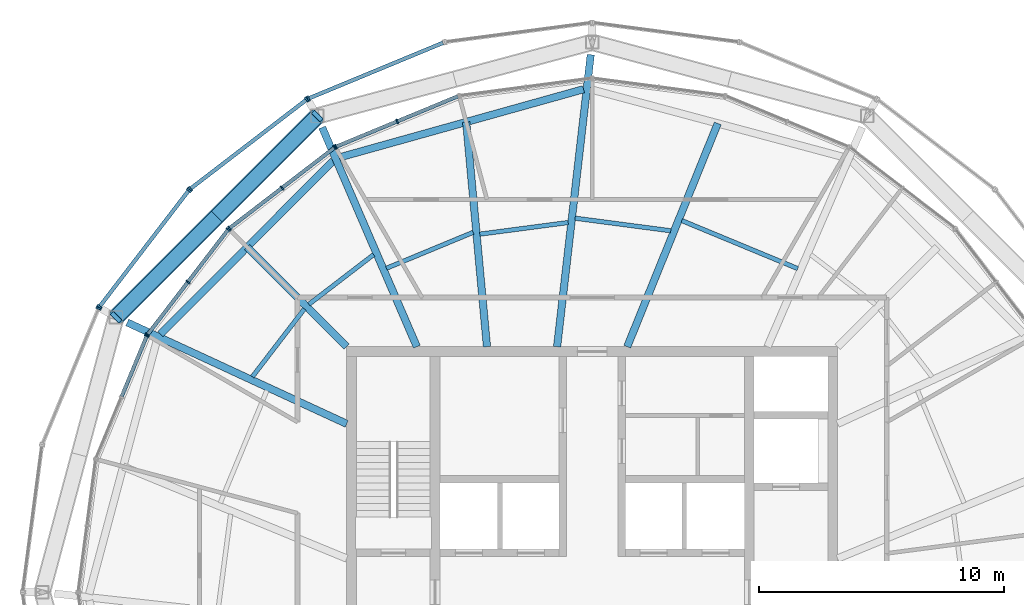
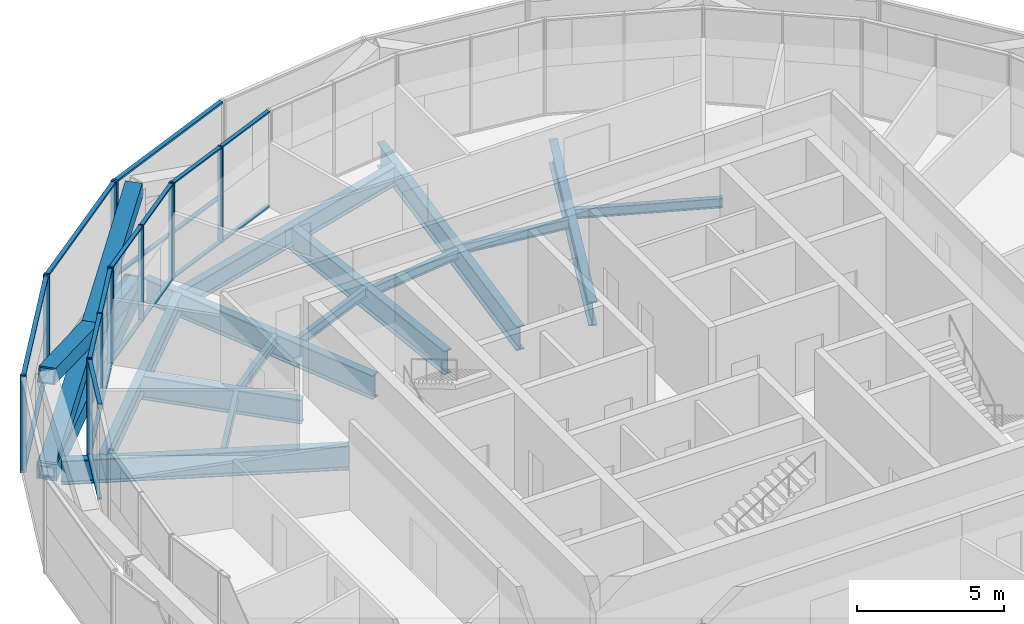
# One storey, part 7 of 17: 37 members, 15 beams, 8 elements without a shape of their own.
"""IFC4 building model written with IfcOpenShell, lengths in metres."""

from ifc_helpers import new_model, si_unit, direction, frame, origin, origin_2d, place, context, subcontext, project, spatial, rectangle, hollow_rectangle, i_section, extrude, material, material_profile, profile_set, type_object, element, aggregate, save


model = new_model("IFC4")

# Units and contexts
model_context = context("Model", 3, precision=1e-05, world=origin(), true_north=direction((0.0, 1.0)))
body_context = subcontext(model_context, "Body", "Model", "MODEL_VIEW")
ifc_project = project(units=[si_unit("LENGTHUNIT", "METRE"), si_unit("AREAUNIT", "SQUARE_METRE"), si_unit("VOLUMEUNIT", "CUBIC_METRE"), si_unit("PLANEANGLEUNIT", "RADIAN"), si_unit("MASSUNIT", "GRAM", prefix="KILO")], contexts=[model_context])

# Site, building, storey
site_placement = place(None, origin())
site = spatial("IfcSite", under=ifc_project, at=site_placement, CompositionType="ELEMENT")
building_placement = place(site_placement, origin())
building = spatial("IfcBuilding", under=site, at=building_placement, Name="Golbaran Civic Tower", CompositionType="ELEMENT")
storey_placement = place(building_placement, frame((0.0, 0.0, 280.0)))
storey = spatial("IfcBuildingStorey", under=building, at=storey_placement, Name="L68", CompositionType="ELEMENT", Elevation=280.0)

# Members
ifc_material_1 = material(Name="Steel S355", Category="steel")
ifc_material_profile_1 = material_profile(ifc_material_1, hollow_rectangle(XDim=0.60009765625, YDim=0.60009765625, WallThickness=0.050048828125, at=origin_2d()), Name="BOX 600x600x50")
ifc_profile_set_1 = profile_set([ifc_material_profile_1], Name="Steel S355")
member_type_1 = type_object("IfcMemberType", Name="CROWN FRAME LOWER BRACE BOX 600x600x50", PredefinedType="BRACE", material=ifc_profile_set_1)
for number, where, z_axis, x_axis, name in (
    (1, (-11.199951171875, 19.39892578125, -0.7099609375), (-0.668449627768, -0.668449627768, 0.326113768911), (0.707106781187, -0.707106781187, 0.0), "Crown frame lower brace 5A"),
    (2, (-19.39892578125, 11.199951171875, -0.7099609375), (0.668449627768, 0.668449627768, 0.326113768911), (-0.707106781187, 0.707106781187, 0.0), "Crown frame lower brace 5B"),
):
    element("IfcMember", number, at=place(storey_placement, frame(where, z_axis=z_axis, x_axis=x_axis)), inside=storey, type_object=member_type_1, Name=name, PredefinedType="BRACE", context=body_context, shape_type="SweptSolid", body=[
        extrude(hollow_rectangle(XDim=0.60009765625, YDim=0.60009765625, WallThickness=0.050048828125, at=origin_2d()), origin(), (0.0, 0.0, 1.0), 12.265625),
    ])

# Beams
ifc_material_profile_2 = material_profile(ifc_material_1, hollow_rectangle(XDim=0.699951171875, YDim=0.699951171875, WallThickness=0.080078125, at=origin_2d()), Name="BOX 700x700x80")
ifc_profile_set_2 = profile_set([ifc_material_profile_2], Name="Steel S355")
beam_type_1 = type_object("IfcBeamType", Name="DIAGRID RING TIE BOX 700x700x80", PredefinedType="BEAM", material=ifc_profile_set_2)
beam_1_placement = place(storey_placement, frame((-11.199951171875, 19.39892578125, -0.7099609375), z_axis=(-0.707106781187, -0.707106781187, 0.0), x_axis=(0.707106781187, -0.707106781187, 0.0)))
element("IfcBeam", 3, at=beam_1_placement, inside=storey, type_object=beam_type_1, Name="Ring tie 120.00 L68", PredefinedType="BEAM", context=body_context, shape_type="SweptSolid", body=[
    extrude(hollow_rectangle(XDim=0.699951171875, YDim=0.699951171875, WallThickness=0.080078125, at=origin_2d()), origin(), (0.0, 0.0, 1.0), 11.59521484375),
])
ifc_material_profile_3 = material_profile(ifc_material_1, i_section(OverallWidth=0.300048828125, OverallDepth=0.800048828125, WebThickness=0.017578125, FlangeThickness=0.032958984375, FilletRadius=0.030029296875, at=origin_2d()), Name="HEB 800")
ifc_profile_set_3 = profile_set([ifc_material_profile_3], Name="Steel S355")
beam_type_2 = type_object("IfcBeamType", Name="EDGE BEAM HEB 800", PredefinedType="BEAM", material=ifc_profile_set_3)
beam_2_placement = place(storey_placement, frame((-0.35107421875, 20.489013671875, -0.60009765625), z_axis=(-0.963130557778, -0.269034437709, 0.0), x_axis=(0.269034437709, -0.963130557778, 0.0)))
element("IfcBeam", 4, at=beam_2_placement, inside=storey, type_object=beam_type_2, Name="Edge beam 90.00 L68", PredefinedType="BEAM", context=body_context, shape_type="SweptSolid", body=[
    extrude(i_section(OverallWidth=0.300048828125, OverallDepth=0.800048828125, WebThickness=0.017578125, FlangeThickness=0.032958984375, FilletRadius=0.030029296875, at=origin_2d()), origin(), (0.0, 0.0, 1.0), 10.35693359375),
])
beam_3_placement = place(storey_placement, frame((-10.551513671875, 17.568359375, -0.60009765625), z_axis=(-0.706273825307, -0.707938757017, 0.0), x_axis=(0.707938757017, -0.706273825307, 0.0)))
element("IfcBeam", 5, at=beam_3_placement, inside=storey, type_object=beam_type_2, Name="Edge beam 120.00 L68", PredefinedType="BEAM", context=body_context, shape_type="SweptSolid", body=[
    extrude(i_section(OverallWidth=0.300048828125, OverallDepth=0.800048828125, WebThickness=0.017578125, FlangeThickness=0.032958984375, FilletRadius=0.030029296875, at=origin_2d()), origin(), (0.0, 0.0, 1.0), 9.971435546875),
])
ifc_material_profile_4 = material_profile(ifc_material_1, i_section(OverallWidth=0.179931640625, OverallDepth=0.39990234375, WebThickness=0.008544921875, FlangeThickness=0.013427734375, FilletRadius=0.02099609375, at=origin_2d()), Name="IPE 400")
ifc_profile_set_4 = profile_set([ifc_material_profile_4], Name="Steel S355")
beam_type_3 = type_object("IfcBeamType", Name="FLOOR INFILL BEAM IPE 400", PredefinedType="BEAM", material=ifc_profile_set_4)
beam_4_placement = place(storey_placement, frame((8.37451171875, 13.181396484375, -0.39990234375), z_axis=(-0.923888771461, 0.382661126806, 0.0), x_axis=(-0.382661126806, -0.923888771461, 0.0)))
element("IfcBeam", 6, at=beam_4_placement, inside=storey, type_object=beam_type_3, Name="Infill beam 67.50 L68", PredefinedType="BEAM", context=body_context, shape_type="SweptSolid", body=[
    extrude(i_section(OverallWidth=0.179931640625, OverallDepth=0.39990234375, WebThickness=0.008544921875, FlangeThickness=0.013427734375, FilletRadius=0.02099609375, at=origin_2d()), origin(), (0.0, 0.0, 1.0), 5.11181640625),
])
beam_5_placement = place(storey_placement, frame((3.202880859375, 14.721923828125, -0.39990234375), z_axis=(-0.991442453905, 0.130544477456, 0.0), x_axis=(-0.130544477456, -0.991442453905, 0.0)))
element("IfcBeam", 7, at=beam_5_placement, inside=storey, type_object=beam_type_3, Name="Infill beam 82.50 L68", PredefinedType="BEAM", context=body_context, shape_type="SweptSolid", body=[
    extrude(i_section(OverallWidth=0.179931640625, OverallDepth=0.39990234375, WebThickness=0.008544921875, FlangeThickness=0.013427734375, FilletRadius=0.02099609375, at=origin_2d()), origin(), (0.0, 0.0, 1.0), 3.93115234375),
])
beam_6_placement = place(storey_placement, frame((-0.9765625, 15.05859375, -0.39990234375), z_axis=(-0.99144194185, -0.130548366293, 0.0), x_axis=(0.130548366293, -0.99144194185, 0.0)))
element("IfcBeam", 8, at=beam_6_placement, inside=storey, type_object=beam_type_3, Name="Infill beam 97.50 L68", PredefinedType="BEAM", context=body_context, shape_type="SweptSolid", body=[
    extrude(i_section(OverallWidth=0.179931640625, OverallDepth=0.39990234375, WebThickness=0.008544921875, FlangeThickness=0.013427734375, FilletRadius=0.02099609375, at=origin_2d()), origin(), (0.0, 0.0, 1.0), 3.633544921875),
])
beam_7_placement = place(storey_placement, frame((-4.84716796875, 14.6591796875, -0.39990234375), z_axis=(-0.92387756648, -0.38268817875, 0.0), x_axis=(0.38268817875, -0.92387756648, 0.0)))
element("IfcBeam", 9, at=beam_7_placement, inside=storey, type_object=beam_type_3, Name="Infill beam 112.50 L68", PredefinedType="BEAM", context=body_context, shape_type="SweptSolid", body=[
    extrude(i_section(OverallWidth=0.179931640625, OverallDepth=0.39990234375, WebThickness=0.008544921875, FlangeThickness=0.013427734375, FilletRadius=0.02099609375, at=origin_2d()), origin(), (0.0, 0.0, 1.0), 3.824462890625),
])
beam_8_placement = place(storey_placement, frame((-8.9033203125, 13.75, -0.39990234375), z_axis=(-0.793371165585, -0.60873819793, 0.0), x_axis=(0.60873819793, -0.793371165585, 0.0)))
element("IfcBeam", 10, at=beam_8_placement, inside=storey, type_object=beam_type_3, Name="Infill beam 127.50 L68", PredefinedType="BEAM", context=body_context, shape_type="SweptSolid", body=[
    extrude(i_section(OverallWidth=0.179931640625, OverallDepth=0.39990234375, WebThickness=0.008544921875, FlangeThickness=0.013427734375, FilletRadius=0.02099609375, at=origin_2d()), origin(), (0.0, 0.0, 1.0), 3.32568359375),
])
beam_9_placement = place(storey_placement, frame((-11.723388671875, 11.53955078125, -0.39990234375), z_axis=(-0.608734654071, -0.793373884705, 0.0), x_axis=(0.793373884705, -0.608734654071, 0.0)))
element("IfcBeam", 11, at=beam_9_placement, inside=storey, type_object=beam_type_3, Name="Infill beam 142.50 L68", PredefinedType="BEAM", context=body_context, shape_type="SweptSolid", body=[
    extrude(i_section(OverallWidth=0.179931640625, OverallDepth=0.39990234375, WebThickness=0.008544921875, FlangeThickness=0.013427734375, FilletRadius=0.02099609375, at=origin_2d()), origin(), (0.0, 0.0, 1.0), 3.48291015625),
])

# Curtain wall, members
ifc_material_2 = material(Name="Aluminium and glass", Category="aluminium")
curtain_wall_type_1 = type_object("IfcCurtainWallType", Name="INNER SKIN CURTAIN WALL EXECUTIVE", PredefinedType="NOTDEFINED", material=ifc_material_2)
curtain_wall_1_placement = place(storey_placement, origin())
curtain_wall_1 = element("IfcCurtainWall", 12, at=curtain_wall_1_placement, inside=storey, type_object=curtain_wall_type_1, Name="Inner skin L68 facet 8 CW2", ObjectType="INNER SKIN", PredefinedType="USERDEFINED")
ifc_material_3 = material(Name="Aluminium", Category="aluminium")
ifc_material_profile_5 = material_profile(ifc_material_3, rectangle(XDim=0.199951171875, YDim=0.06005859375, at=origin_2d()), Name="INNER SKIN CURTAIN WALL EXECUTIVE MULLION")
ifc_profile_set_5 = profile_set([ifc_material_profile_5], Name="Aluminium")
member_type_2 = type_object("IfcMemberType", Name="INNER SKIN CURTAIN WALL EXECUTIVE MULLION", PredefinedType="MULLION", material=ifc_profile_set_5)
member_1_placement = place(storey_placement, frame((-7.943603515625, 19.177734375, 0.0), z_axis=(0.0, 0.0, 1.0), x_axis=(0.382683432349, -0.923879532518, 0.0)))
member_1 = element("IfcMember", 13, at=member_1_placement, type_object=member_type_2, Name="CW2 mullion 2", PredefinedType="MULLION", context=body_context, shape_type="SweptSolid", body=[
    extrude(rectangle(XDim=0.199951171875, YDim=0.06005859375, at=origin_2d()), origin(), (0.0, 0.0, 1.0), 4.0),
])
member_2_placement = place(storey_placement, frame((-10.440673828125, 18.1435546875, 0.0), z_axis=(0.0, 0.0, 1.0), x_axis=(0.382683432349, -0.923879532518, 0.0)))
member_2 = element("IfcMember", 14, at=member_2_placement, type_object=member_type_2, Name="CW2 mullion 3", PredefinedType="MULLION", context=body_context, shape_type="SweptSolid", body=[
    extrude(rectangle(XDim=0.199951171875, YDim=0.06005859375, at=origin_2d()), origin(), (0.0, 0.0, 1.0), 4.0),
])

curtain_wall_2_placement = place(storey_placement, origin())
curtain_wall_2 = element("IfcCurtainWall", 15, at=curtain_wall_2_placement, inside=storey, type_object=curtain_wall_type_1, Name="Inner skin L68 facet 9 CW2", ObjectType="INNER SKIN", PredefinedType="USERDEFINED")
member_3_placement = place(storey_placement, frame((-10.4921875, 18.11376953125, 0.0), z_axis=(0.0, 0.0, 1.0), x_axis=(0.608761428939, -0.793353340344, 0.0)))
member_3 = element("IfcMember", 16, at=member_3_placement, type_object=member_type_2, Name="CW2 mullion 1", PredefinedType="MULLION", context=body_context, shape_type="SweptSolid", body=[
    extrude(rectangle(XDim=0.199951171875, YDim=0.06005859375, at=origin_2d()), origin(), (0.0, 0.0, 1.0), 4.0),
])
member_4_placement = place(storey_placement, frame((-12.63671875, 16.46826171875, 0.0), z_axis=(0.0, 0.0, 1.0), x_axis=(0.608761428939, -0.793353340344, 0.0)))
member_4 = element("IfcMember", 17, at=member_4_placement, type_object=member_type_2, Name="CW2 mullion 2", PredefinedType="MULLION", context=body_context, shape_type="SweptSolid", body=[
    extrude(rectangle(XDim=0.199951171875, YDim=0.06005859375, at=origin_2d()), origin(), (0.0, 0.0, 1.0), 4.0),
])
member_5_placement = place(storey_placement, frame((-14.781005859375, 14.822998046875, 0.0), z_axis=(0.0, 0.0, 1.0), x_axis=(0.608761428939, -0.793353340344, 0.0)))
member_5 = element("IfcMember", 18, at=member_5_placement, type_object=member_type_2, Name="CW2 mullion 3", PredefinedType="MULLION", context=body_context, shape_type="SweptSolid", body=[
    extrude(rectangle(XDim=0.199951171875, YDim=0.06005859375, at=origin_2d()), origin(), (0.0, 0.0, 1.0), 4.0),
])

curtain_wall_3_placement = place(storey_placement, origin())
curtain_wall_3 = element("IfcCurtainWall", 19, at=curtain_wall_3_placement, inside=storey, type_object=curtain_wall_type_1, Name="Inner skin L68 facet 10 CW2", ObjectType="INNER SKIN", PredefinedType="USERDEFINED")
member_6_placement = place(storey_placement, frame((-14.822998046875, 14.781005859375, 0.0), z_axis=(0.0, 0.0, 1.0), x_axis=(0.793353340344, -0.608761428939, 0.0)))
member_6 = element("IfcMember", 20, at=member_6_placement, type_object=member_type_2, Name="CW2 mullion 1", PredefinedType="MULLION", context=body_context, shape_type="SweptSolid", body=[
    extrude(rectangle(XDim=0.199951171875, YDim=0.06005859375, at=origin_2d()), origin(), (0.0, 0.0, 1.0), 4.0),
])
member_7_placement = place(storey_placement, frame((-16.46826171875, 12.63671875, 0.0), z_axis=(0.0, 0.0, 1.0), x_axis=(0.793353340344, -0.608761428939, 0.0)))
member_7 = element("IfcMember", 21, at=member_7_placement, type_object=member_type_2, Name="CW2 mullion 2", PredefinedType="MULLION", context=body_context, shape_type="SweptSolid", body=[
    extrude(rectangle(XDim=0.199951171875, YDim=0.06005859375, at=origin_2d()), origin(), (0.0, 0.0, 1.0), 4.0),
])
member_8_placement = place(storey_placement, frame((-18.11376953125, 10.4921875, 0.0), z_axis=(0.0, 0.0, 1.0), x_axis=(0.793353340344, -0.608761428939, 0.0)))
member_8 = element("IfcMember", 22, at=member_8_placement, type_object=member_type_2, Name="CW2 mullion 3", PredefinedType="MULLION", context=body_context, shape_type="SweptSolid", body=[
    extrude(rectangle(XDim=0.199951171875, YDim=0.06005859375, at=origin_2d()), origin(), (0.0, 0.0, 1.0), 4.0),
])

# Curtain wall, member
curtain_wall_4_placement = place(storey_placement, origin())
curtain_wall_4 = element("IfcCurtainWall", 23, at=curtain_wall_4_placement, inside=storey, type_object=curtain_wall_type_1, Name="Inner skin L68 facet 11 CW2", ObjectType="INNER SKIN", PredefinedType="USERDEFINED")
member_9_placement = place(storey_placement, frame((-18.1435546875, 10.440673828125, 0.0), z_axis=(0.0, 0.0, 1.0), x_axis=(0.923879532518, -0.382683432349, 0.0)))
member_9 = element("IfcMember", 24, at=member_9_placement, type_object=member_type_2, Name="CW2 mullion 1", PredefinedType="MULLION", context=body_context, shape_type="SweptSolid", body=[
    extrude(rectangle(XDim=0.199951171875, YDim=0.06005859375, at=origin_2d()), origin(), (0.0, 0.0, 1.0), 4.0),
])

# Member
ifc_material_profile_6 = material_profile(ifc_material_3, rectangle(XDim=0.14990234375, YDim=0.06005859375, at=origin_2d()), Name="INNER SKIN CURTAIN WALL EXECUTIVE TRANSOM")
ifc_profile_set_6 = profile_set([ifc_material_profile_6], Name="Aluminium")
member_type_3 = type_object("IfcMemberType", Name="INNER SKIN CURTAIN WALL EXECUTIVE TRANSOM", PredefinedType="USERDEFINED", material=ifc_profile_set_6)
member_10_placement = place(storey_placement, frame((-5.474365234375, 20.20068359375, 0.030029296875), z_axis=(-0.923864829386, -0.382718926922, 0.0), x_axis=(0.382718926922, -0.923864829386, 0.0)))
member_10 = element("IfcMember", 25, at=member_10_placement, type_object=member_type_3, Name="CW2 transom 1.1", ObjectType="TRANSOM", PredefinedType="USERDEFINED", context=body_context, shape_type="SweptSolid", body=[
    extrude(rectangle(XDim=0.14990234375, YDim=0.06005859375, at=origin_2d()), origin(), (0.0, 0.0, 1.0), 2.642822265625),
])

member_11_placement = place(storey_placement, frame((-5.474365234375, 20.20068359375, 3.969970703125), z_axis=(-0.923864829386, -0.382718926922, 0.0), x_axis=(0.382718926922, -0.923864829386, 0.0)))
member_11 = element("IfcMember", 26, at=member_11_placement, type_object=member_type_3, Name="CW2 transom 1.2", ObjectType="TRANSOM", PredefinedType="USERDEFINED", context=body_context, shape_type="SweptSolid", body=[
    extrude(rectangle(XDim=0.14990234375, YDim=0.06005859375, at=origin_2d()), origin(), (0.0, 0.0, 1.0), 2.642822265625),
])

member_12_placement = place(storey_placement, frame((-7.971435546875, 19.166259765625, 0.030029296875), z_axis=(-0.923897489973, -0.382640076339, 0.0), x_axis=(0.382640076339, -0.923897489973, 0.0)))
member_12 = element("IfcMember", 27, at=member_12_placement, type_object=member_type_3, Name="CW2 transom 2.1", ObjectType="TRANSOM", PredefinedType="USERDEFINED", context=body_context, shape_type="SweptSolid", body=[
    extrude(rectangle(XDim=0.14990234375, YDim=0.06005859375, at=origin_2d()), origin(), (0.0, 0.0, 1.0), 2.642822265625),
])

member_13_placement = place(storey_placement, frame((-7.971435546875, 19.166259765625, 3.969970703125), z_axis=(-0.923897489973, -0.382640076339, 0.0), x_axis=(0.382640076339, -0.923897489973, 0.0)))
member_13 = element("IfcMember", 28, at=member_13_placement, type_object=member_type_3, Name="CW2 transom 2.2", ObjectType="TRANSOM", PredefinedType="USERDEFINED", context=body_context, shape_type="SweptSolid", body=[
    extrude(rectangle(XDim=0.14990234375, YDim=0.06005859375, at=origin_2d()), origin(), (0.0, 0.0, 1.0), 2.642822265625),
])

aggregate(curtain_wall_1, [member_1, member_2, member_10, member_11, member_12, member_13])

member_14_placement = place(storey_placement, frame((-10.51611328125, 18.095458984375, 0.030029296875), z_axis=(-0.793344603323, -0.608772815079, 0.0), x_axis=(0.608772815079, -0.793344603323, 0.0)))
member_14 = element("IfcMember", 29, at=member_14_placement, type_object=member_type_3, Name="CW2 transom 1.1", ObjectType="TRANSOM", PredefinedType="USERDEFINED", context=body_context, shape_type="SweptSolid", body=[
    extrude(rectangle(XDim=0.14990234375, YDim=0.06005859375, at=origin_2d()), origin(), (0.0, 0.0, 1.0), 2.642822265625),
])

member_15_placement = place(storey_placement, frame((-10.51611328125, 18.095458984375, 3.969970703125), z_axis=(-0.793344603323, -0.608772815079, 0.0), x_axis=(0.608772815079, -0.793344603323, 0.0)))
member_15 = element("IfcMember", 30, at=member_15_placement, type_object=member_type_3, Name="CW2 transom 1.2", ObjectType="TRANSOM", PredefinedType="USERDEFINED", context=body_context, shape_type="SweptSolid", body=[
    extrude(rectangle(XDim=0.14990234375, YDim=0.06005859375, at=origin_2d()), origin(), (0.0, 0.0, 1.0), 2.642822265625),
])

member_16_placement = place(storey_placement, frame((-12.660400390625, 16.449951171875, 0.030029296875), z_axis=(-0.793389219324, -0.60871466769, 0.0), x_axis=(0.60871466769, -0.793389219324, 0.0)))
member_16 = element("IfcMember", 31, at=member_16_placement, type_object=member_type_3, Name="CW2 transom 2.1", ObjectType="TRANSOM", PredefinedType="USERDEFINED", context=body_context, shape_type="SweptSolid", body=[
    extrude(rectangle(XDim=0.14990234375, YDim=0.06005859375, at=origin_2d()), origin(), (0.0, 0.0, 1.0), 2.642578125),
])

member_17_placement = place(storey_placement, frame((-12.660400390625, 16.449951171875, 3.969970703125), z_axis=(-0.793389219324, -0.60871466769, 0.0), x_axis=(0.60871466769, -0.793389219324, 0.0)))
member_17 = element("IfcMember", 32, at=member_17_placement, type_object=member_type_3, Name="CW2 transom 2.2", ObjectType="TRANSOM", PredefinedType="USERDEFINED", context=body_context, shape_type="SweptSolid", body=[
    extrude(rectangle(XDim=0.14990234375, YDim=0.06005859375, at=origin_2d()), origin(), (0.0, 0.0, 1.0), 2.642578125),
])

aggregate(curtain_wall_2, [member_3, member_4, member_5, member_14, member_15, member_16, member_17])

member_18_placement = place(storey_placement, frame((-14.84130859375, 14.757080078125, 0.030029296875), z_axis=(-0.60871466769, -0.793389219324, 0.0), x_axis=(0.793389219324, -0.60871466769, 0.0)))
member_18 = element("IfcMember", 33, at=member_18_placement, type_object=member_type_3, Name="CW2 transom 1.1", ObjectType="TRANSOM", PredefinedType="USERDEFINED", context=body_context, shape_type="SweptSolid", body=[
    extrude(rectangle(XDim=0.14990234375, YDim=0.06005859375, at=origin_2d()), origin(), (0.0, 0.0, 1.0), 2.642578125),
])

member_19_placement = place(storey_placement, frame((-14.84130859375, 14.757080078125, 3.969970703125), z_axis=(-0.60871466769, -0.793389219324, 0.0), x_axis=(0.793389219324, -0.60871466769, 0.0)))
member_19 = element("IfcMember", 34, at=member_19_placement, type_object=member_type_3, Name="CW2 transom 1.2", ObjectType="TRANSOM", PredefinedType="USERDEFINED", context=body_context, shape_type="SweptSolid", body=[
    extrude(rectangle(XDim=0.14990234375, YDim=0.06005859375, at=origin_2d()), origin(), (0.0, 0.0, 1.0), 2.642578125),
])

member_20_placement = place(storey_placement, frame((-16.486572265625, 12.61279296875, 0.030029296875), z_axis=(-0.608772815079, -0.793344603323, 0.0), x_axis=(0.793344603323, -0.608772815079, 0.0)))
member_20 = element("IfcMember", 35, at=member_20_placement, type_object=member_type_3, Name="CW2 transom 2.1", ObjectType="TRANSOM", PredefinedType="USERDEFINED", context=body_context, shape_type="SweptSolid", body=[
    extrude(rectangle(XDim=0.14990234375, YDim=0.06005859375, at=origin_2d()), origin(), (0.0, 0.0, 1.0), 2.642822265625),
])

member_21_placement = place(storey_placement, frame((-16.486572265625, 12.61279296875, 3.969970703125), z_axis=(-0.608772815079, -0.793344603323, 0.0), x_axis=(0.793344603323, -0.608772815079, 0.0)))
member_21 = element("IfcMember", 36, at=member_21_placement, type_object=member_type_3, Name="CW2 transom 2.2", ObjectType="TRANSOM", PredefinedType="USERDEFINED", context=body_context, shape_type="SweptSolid", body=[
    extrude(rectangle(XDim=0.14990234375, YDim=0.06005859375, at=origin_2d()), origin(), (0.0, 0.0, 1.0), 2.642822265625),
])

aggregate(curtain_wall_3, [member_6, member_7, member_8, member_18, member_19, member_20, member_21])

member_22_placement = place(storey_placement, frame((-18.155029296875, 10.4130859375, 0.030029296875), z_axis=(-0.382640076339, -0.923897489973, 0.0), x_axis=(0.923897489973, -0.382640076339, 0.0)))
member_22 = element("IfcMember", 37, at=member_22_placement, type_object=member_type_3, Name="CW2 transom 1.1", ObjectType="TRANSOM", PredefinedType="USERDEFINED", context=body_context, shape_type="SweptSolid", body=[
    extrude(rectangle(XDim=0.14990234375, YDim=0.06005859375, at=origin_2d()), origin(), (0.0, 0.0, 1.0), 2.642822265625),
])

member_23_placement = place(storey_placement, frame((-18.155029296875, 10.4130859375, 3.969970703125), z_axis=(-0.382640076339, -0.923897489973, 0.0), x_axis=(0.923897489973, -0.382640076339, 0.0)))
member_23 = element("IfcMember", 38, at=member_23_placement, type_object=member_type_3, Name="CW2 transom 1.2", ObjectType="TRANSOM", PredefinedType="USERDEFINED", context=body_context, shape_type="SweptSolid", body=[
    extrude(rectangle(XDim=0.14990234375, YDim=0.06005859375, at=origin_2d()), origin(), (0.0, 0.0, 1.0), 2.642822265625),
])

aggregate(curtain_wall_4, [member_9, member_22, member_23])

# Curtain wall, member
curtain_wall_type_2 = type_object("IfcCurtainWallType", Name="OUTER SKIN TERRACOTTA SCREEN", PredefinedType="NOTDEFINED", material=ifc_material_2)
curtain_wall_5_placement = place(storey_placement, origin())
curtain_wall_5 = element("IfcCurtainWall", 39, at=curtain_wall_5_placement, inside=storey, type_object=curtain_wall_type_2, Name="Outer skin L68 facet 8 CW3", ObjectType="OUTER SKIN", PredefinedType="USERDEFINED")
ifc_material_profile_7 = material_profile(ifc_material_3, rectangle(XDim=0.219970703125, YDim=0.080078125, at=origin_2d()), Name="OUTER SKIN TERRACOTTA SCREEN MULLION")
ifc_profile_set_7 = profile_set([ifc_material_profile_7], Name="Aluminium")
member_type_4 = type_object("IfcMemberType", Name="OUTER SKIN TERRACOTTA SCREEN MULLION", PredefinedType="MULLION", material=ifc_profile_set_7)
member_24_placement = place(storey_placement, frame((-11.56298828125, 20.107177734375, -0.7099609375), z_axis=(0.0, 0.0, 1.0), x_axis=(0.382683432333, -0.923879532525, 0.0)))
member_24 = element("IfcMember", 40, at=member_24_placement, type_object=member_type_4, Name="CW3 mullion 2", PredefinedType="MULLION", context=body_context, shape_type="SweptSolid", body=[
    extrude(rectangle(XDim=0.219970703125, YDim=0.080078125, at=origin_2d()), origin(), (0.0, 0.0, 1.0), 4.0),
])

# Curtain wall, members
curtain_wall_6_placement = place(storey_placement, origin())
curtain_wall_6 = element("IfcCurtainWall", 41, at=curtain_wall_6_placement, inside=storey, type_object=curtain_wall_type_2, Name="Outer skin L68 facet 9 CW3", ObjectType="OUTER SKIN", PredefinedType="USERDEFINED")
member_25_placement = place(storey_placement, frame((-11.6318359375, 20.0673828125, -0.7099609375), z_axis=(0.0, 0.0, 1.0), x_axis=(0.608761428939, -0.793353340344, 0.0)))
member_25 = element("IfcMember", 42, at=member_25_placement, type_object=member_type_4, Name="CW3 mullion 1", PredefinedType="MULLION", context=body_context, shape_type="SweptSolid", body=[
    extrude(rectangle(XDim=0.219970703125, YDim=0.080078125, at=origin_2d()), origin(), (0.0, 0.0, 1.0), 4.0),
])
member_26_placement = place(storey_placement, frame((-16.373046875, 16.42919921875, -0.7099609375), z_axis=(0.0, 0.0, 1.0), x_axis=(0.608761428939, -0.793353340344, 0.0)))
member_26 = element("IfcMember", 43, at=member_26_placement, type_object=member_type_4, Name="CW3 mullion 2", PredefinedType="MULLION", context=body_context, shape_type="SweptSolid", body=[
    extrude(rectangle(XDim=0.219970703125, YDim=0.080078125, at=origin_2d()), origin(), (0.0, 0.0, 1.0), 4.0),
])

curtain_wall_7_placement = place(storey_placement, origin())
curtain_wall_7 = element("IfcCurtainWall", 44, at=curtain_wall_7_placement, inside=storey, type_object=curtain_wall_type_2, Name="Outer skin L68 facet 10 CW3", ObjectType="OUTER SKIN", PredefinedType="USERDEFINED")
member_27_placement = place(storey_placement, frame((-16.42919921875, 16.373046875, -0.7099609375), z_axis=(0.0, 0.0, 1.0), x_axis=(0.793353340344, -0.608761428939, 0.0)))
member_27 = element("IfcMember", 45, at=member_27_placement, type_object=member_type_4, Name="CW3 mullion 1", PredefinedType="MULLION", context=body_context, shape_type="SweptSolid", body=[
    extrude(rectangle(XDim=0.219970703125, YDim=0.080078125, at=origin_2d()), origin(), (0.0, 0.0, 1.0), 4.0),
])
member_28_placement = place(storey_placement, frame((-20.0673828125, 11.6318359375, -0.7099609375), z_axis=(0.0, 0.0, 1.0), x_axis=(0.793353340344, -0.608761428939, 0.0)))
member_28 = element("IfcMember", 46, at=member_28_placement, type_object=member_type_4, Name="CW3 mullion 2", PredefinedType="MULLION", context=body_context, shape_type="SweptSolid", body=[
    extrude(rectangle(XDim=0.219970703125, YDim=0.080078125, at=origin_2d()), origin(), (0.0, 0.0, 1.0), 4.0),
])

# Curtain wall, member
curtain_wall_8_placement = place(storey_placement, origin())
curtain_wall_8 = element("IfcCurtainWall", 47, at=curtain_wall_8_placement, inside=storey, type_object=curtain_wall_type_2, Name="Outer skin L68 facet 11 CW3", ObjectType="OUTER SKIN", PredefinedType="USERDEFINED")
member_29_placement = place(storey_placement, frame((-20.107177734375, 11.56298828125, -0.7099609375), z_axis=(0.0, 0.0, 1.0), x_axis=(0.923879532525, -0.382683432333, 0.0)))
member_29 = element("IfcMember", 48, at=member_29_placement, type_object=member_type_4, Name="CW3 mullion 1", PredefinedType="MULLION", context=body_context, shape_type="SweptSolid", body=[
    extrude(rectangle(XDim=0.219970703125, YDim=0.080078125, at=origin_2d()), origin(), (0.0, 0.0, 1.0), 4.0),
])
aggregate(curtain_wall_8, [member_29])

# Member
ifc_material_profile_8 = material_profile(ifc_material_3, rectangle(XDim=0.159912109375, YDim=0.080078125, at=origin_2d()), Name="OUTER SKIN TERRACOTTA SCREEN TRANSOM")
ifc_profile_set_8 = profile_set([ifc_material_profile_8], Name="Aluminium")
member_type_5 = type_object("IfcMemberType", Name="OUTER SKIN TERRACOTTA SCREEN TRANSOM", PredefinedType="USERDEFINED", material=ifc_profile_set_8)
member_30_placement = place(storey_placement, frame((-6.07861328125, 22.37890625, -0.669921875), z_axis=(-0.923869976214, -0.382706502494, 0.0), x_axis=(0.382706502494, -0.923869976214, 0.0)))
member_30 = element("IfcMember", 49, at=member_30_placement, type_object=member_type_5, Name="CW3 transom 1.1", ObjectType="TRANSOM", PredefinedType="USERDEFINED", context=body_context, shape_type="SweptSolid", body=[
    extrude(rectangle(XDim=0.159912109375, YDim=0.080078125, at=origin_2d()), origin(), (0.0, 0.0, 1.0), 5.896484375),
])

member_31_placement = place(storey_placement, frame((-6.07861328125, 22.37890625, 3.25), z_axis=(-0.923869976214, -0.382706502494, 0.0), x_axis=(0.382706502494, -0.923869976214, 0.0)))
member_31 = element("IfcMember", 50, at=member_31_placement, type_object=member_type_5, Name="CW3 transom 1.2", ObjectType="TRANSOM", PredefinedType="USERDEFINED", context=body_context, shape_type="SweptSolid", body=[
    extrude(rectangle(XDim=0.159912109375, YDim=0.080078125, at=origin_2d()), origin(), (0.0, 0.0, 1.0), 5.896484375),
])

aggregate(curtain_wall_5, [member_24, member_30, member_31])

member_32_placement = place(storey_placement, frame((-11.66357421875, 20.04296875, -0.669921875), z_axis=(-0.793353042116, -0.608761817598, 0.0), x_axis=(0.608761817598, -0.793353042116, 0.0)))
member_32 = element("IfcMember", 51, at=member_32_placement, type_object=member_type_5, Name="CW3 transom 1.1", ObjectType="TRANSOM", PredefinedType="USERDEFINED", context=body_context, shape_type="SweptSolid", body=[
    extrude(rectangle(XDim=0.159912109375, YDim=0.080078125, at=origin_2d()), origin(), (0.0, 0.0, 1.0), 5.896240234375),
])

member_33_placement = place(storey_placement, frame((-11.66357421875, 20.04296875, 3.25), z_axis=(-0.793353042116, -0.608761817598, 0.0), x_axis=(0.608761817598, -0.793353042116, 0.0)))
member_33 = element("IfcMember", 52, at=member_33_placement, type_object=member_type_5, Name="CW3 transom 1.2", ObjectType="TRANSOM", PredefinedType="USERDEFINED", context=body_context, shape_type="SweptSolid", body=[
    extrude(rectangle(XDim=0.159912109375, YDim=0.080078125, at=origin_2d()), origin(), (0.0, 0.0, 1.0), 5.896240234375),
])

aggregate(curtain_wall_6, [member_25, member_26, member_32, member_33])

member_34_placement = place(storey_placement, frame((-16.45361328125, 16.34130859375, -0.669921875), z_axis=(-0.608761817598, -0.793353042116, 0.0), x_axis=(0.793353042116, -0.608761817598, 0.0)))
member_34 = element("IfcMember", 53, at=member_34_placement, type_object=member_type_5, Name="CW3 transom 1.1", ObjectType="TRANSOM", PredefinedType="USERDEFINED", context=body_context, shape_type="SweptSolid", body=[
    extrude(rectangle(XDim=0.159912109375, YDim=0.080078125, at=origin_2d()), origin(), (0.0, 0.0, 1.0), 5.896240234375),
])

member_35_placement = place(storey_placement, frame((-16.45361328125, 16.34130859375, 3.25), z_axis=(-0.608761817598, -0.793353042116, 0.0), x_axis=(0.793353042116, -0.608761817598, 0.0)))
member_35 = element("IfcMember", 54, at=member_35_placement, type_object=member_type_5, Name="CW3 transom 1.2", ObjectType="TRANSOM", PredefinedType="USERDEFINED", context=body_context, shape_type="SweptSolid", body=[
    extrude(rectangle(XDim=0.159912109375, YDim=0.080078125, at=origin_2d()), origin(), (0.0, 0.0, 1.0), 5.896240234375),
])

aggregate(curtain_wall_7, [member_27, member_28, member_34, member_35])

# Beams
ifc_material_profile_9 = material_profile(ifc_material_1, i_section(OverallWidth=0.300048828125, OverallDepth=1.0, WebThickness=0.01904296875, FlangeThickness=0.035888671875, FilletRadius=0.030029296875, at=origin_2d()), Name="HEB 1000")
ifc_profile_set_9 = profile_set([ifc_material_profile_9], Name="Steel S355")
beam_type_4 = type_object("IfcBeamType", Name="RADIAL FLOOR BEAM HEB 1000", PredefinedType="BEAM", material=ifc_profile_set_9)
beam_10_placement = place(storey_placement, frame((-1.428466796875, 10.0, -0.7099609375), z_axis=(0.114446911788, 0.993429365573, 0.0), x_axis=(-0.993429365573, 0.114446911788, 0.0)))
element("IfcBeam", 55, at=beam_10_placement, inside=storey, type_object=beam_type_4, Name="Radial beam 90.00 L68", PredefinedType="BEAM", context=body_context, shape_type="SweptSolid", body=[
    extrude(i_section(OverallWidth=0.300048828125, OverallDepth=1.0, WebThickness=0.01904296875, FlangeThickness=0.035888671875, FilletRadius=0.030029296875, at=origin_2d()), origin(), (0.0, 0.0, 1.0), 11.975830078125),
])
beam_11_placement = place(storey_placement, frame((-7.142822265625, 10.0, -0.7099609375), z_axis=(-0.396310096552, 0.918116717728, 0.0), x_axis=(-0.918116717728, -0.396310096552, 0.0)))
element("IfcBeam", 56, at=beam_11_placement, inside=storey, type_object=beam_type_4, Name="Radial beam 120.00 L68", PredefinedType="BEAM", context=body_context, shape_type="SweptSolid", body=[
    extrude(i_section(OverallWidth=0.300048828125, OverallDepth=1.0, WebThickness=0.01904296875, FlangeThickness=0.035888671875, FilletRadius=0.030029296875, at=origin_2d()), origin(), (0.0, 0.0, 1.0), 9.73095703125),
])
beam_12_placement = place(storey_placement, frame((-10.0, 6.857177734375, -0.7099609375), z_axis=(-0.907779382464, 0.419447961938, 0.0), x_axis=(-0.419447961938, -0.907779382464, 0.0)))
element("IfcBeam", 57, at=beam_12_placement, inside=storey, type_object=beam_type_4, Name="Radial beam 150.00 L68", PredefinedType="BEAM", context=body_context, shape_type="SweptSolid", body=[
    extrude(i_section(OverallWidth=0.300048828125, OverallDepth=1.0, WebThickness=0.01904296875, FlangeThickness=0.035888671875, FilletRadius=0.030029296875, at=origin_2d()), origin(), (0.0, 0.0, 1.0), 9.849609375),
])
ifc_material_profile_10 = material_profile(ifc_material_1, i_section(OverallWidth=0.300048828125, OverallDepth=1.0, WebThickness=0.01904296875, FlangeThickness=0.035888671875, FilletRadius=0.030029296875, at=origin_2d()), Name="HEB 1000")
ifc_profile_set_10 = profile_set([ifc_material_profile_10], Name="Steel S355")
beam_type_5 = type_object("IfcBeamType", Name="SECONDARY FLOOR BEAM HEB 1000", PredefinedType="BEAM", material=ifc_profile_set_10)
beam_13_placement = place(storey_placement, frame((1.428466796875, 10.0, -0.7099609375), z_axis=(0.375755908463, 0.92671867212, 0.0), x_axis=(-0.92671867212, 0.375755908463, 0.0)))
element("IfcBeam", 58, at=beam_13_placement, inside=storey, type_object=beam_type_5, Name="Secondary beam 75.00 L68", PredefinedType="BEAM", context=body_context, shape_type="SweptSolid", body=[
    extrude(i_section(OverallWidth=0.300048828125, OverallDepth=1.0, WebThickness=0.01904296875, FlangeThickness=0.035888671875, FilletRadius=0.030029296875, at=origin_2d()), origin(), (0.0, 0.0, 1.0), 9.81689453125),
])
beam_14_placement = place(storey_placement, frame((-4.28564453125, 10.0, -0.7099609375), z_axis=(-0.092077762715, 0.995751819287, 0.0), x_axis=(-0.995751819287, -0.092077762715, 0.0)))
element("IfcBeam", 59, at=beam_14_placement, inside=storey, type_object=beam_type_5, Name="Secondary beam 105.00 L68", PredefinedType="BEAM", context=body_context, shape_type="SweptSolid", body=[
    extrude(i_section(OverallWidth=0.300048828125, OverallDepth=1.0, WebThickness=0.01904296875, FlangeThickness=0.035888671875, FilletRadius=0.030029296875, at=origin_2d()), origin(), (0.0, 0.0, 1.0), 9.192626953125),
])
beam_15_placement = place(storey_placement, frame((-10.0, 10.0, -0.7099609375), z_axis=(-0.707106781187, 0.707106781187, 0.0), x_axis=(-0.707106781187, -0.707106781187, 0.0)))
element("IfcBeam", 60, at=beam_15_placement, inside=storey, type_object=beam_type_5, Name="Secondary beam 135.00 L68", PredefinedType="BEAM", context=body_context, shape_type="SweptSolid", body=[
    extrude(i_section(OverallWidth=0.300048828125, OverallDepth=1.0, WebThickness=0.01904296875, FlangeThickness=0.035888671875, FilletRadius=0.030029296875, at=origin_2d()), origin(), (0.0, 0.0, 1.0), 5.735595703125),
])

save(model, "model.ifc")
